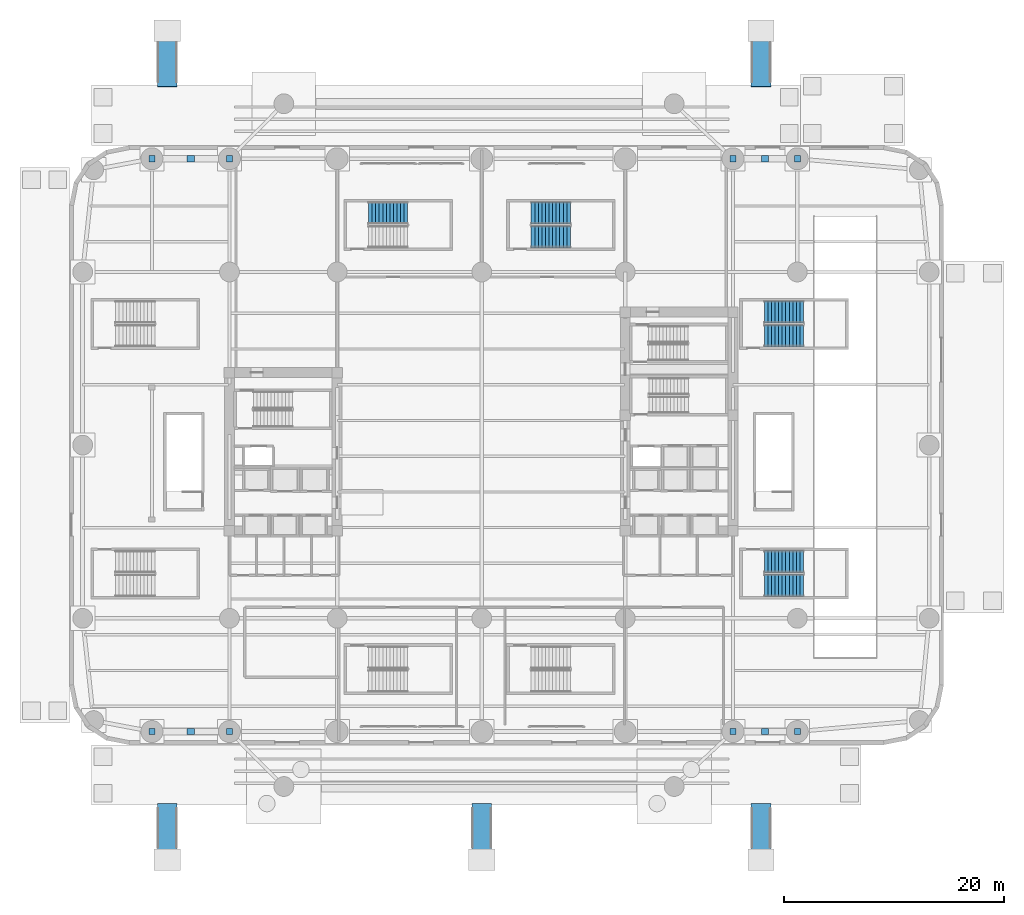
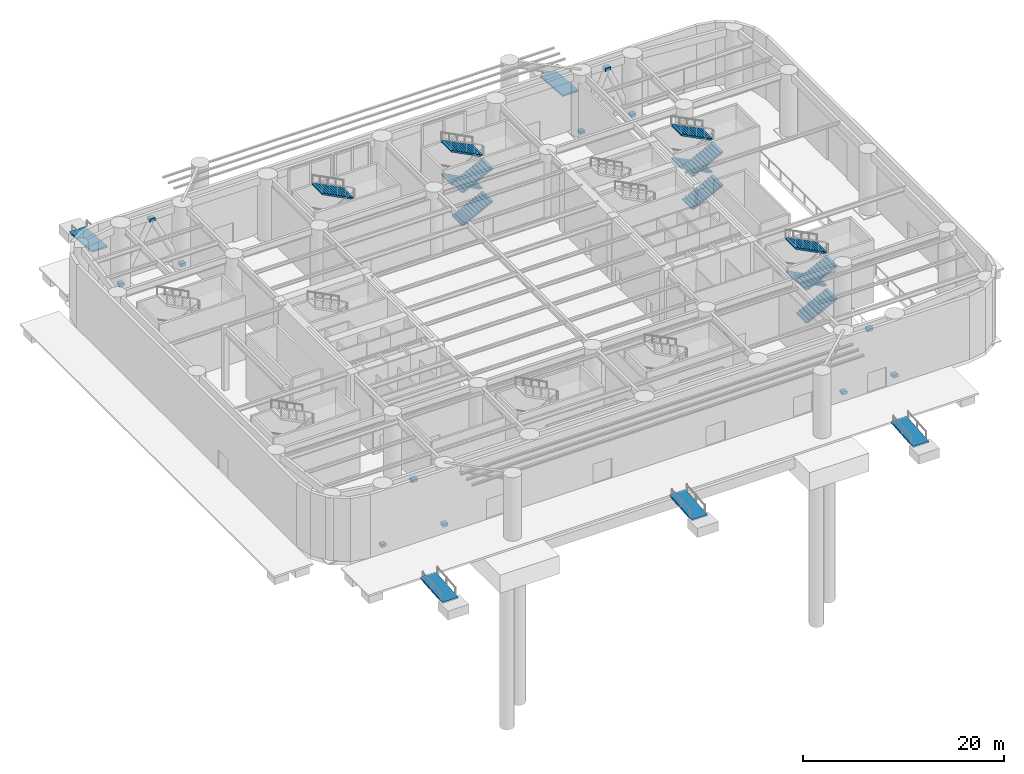
# One storey, part 15 of 25: 13 stair flights, 12 discrete accessories, 5 ramp flights, 9 elements without a shape of their own.
"""IFC4 building model written with IfcOpenShell, lengths in metres."""

from ifc_helpers import new_model, si_unit, direction, frame, origin, origin_2d, place, context, subcontext, project, spatial, polyline, rectangle, outline, extrude, material, layer, layer_set, type_object, element, aggregate, save


model = new_model("IFC4")

# Units and contexts
model_context = context("Model", 3, precision=1e-05, world=origin(), true_north=direction((0.0, 1.0)))
body_context = subcontext(model_context, "Body", "Model", "MODEL_VIEW")
ifc_project = project(units=[si_unit("LENGTHUNIT", "METRE"), si_unit("AREAUNIT", "SQUARE_METRE"), si_unit("VOLUMEUNIT", "CUBIC_METRE"), si_unit("PLANEANGLEUNIT", "RADIAN"), si_unit("MASSUNIT", "GRAM", prefix="KILO")], contexts=[model_context])

# Site, building, storey
site_placement = place(None, origin())
site = spatial("IfcSite", under=ifc_project, at=site_placement, CompositionType="ELEMENT")
building_placement = place(site_placement, origin())
building = spatial("IfcBuilding", under=site, at=building_placement, Name="Kolvaren Arena Tower", CompositionType="ELEMENT")
storey_placement = place(building_placement, origin())
storey = spatial("IfcBuildingStorey", under=building, at=storey_placement, Name="L00", CompositionType="ELEMENT", Elevation=0.0)

# Stair, stair flights
ifc_material_1 = material(Name="Concrete 45 MPa", Category="concrete")
stair_type = type_object("IfcStairType", Name="STAIR-ARENA-220", PredefinedType="HALF_TURN_STAIR", material=ifc_material_1)
stair_1_placement = place(storey_placement, origin())
stair_1 = element("IfcStair", 1, at=stair_1_placement, inside=storey, type_object=stair_type, Name="L00 ST-A4", PredefinedType="HALF_TURN_STAIR")
stair_flight_type = type_object("IfcStairFlightType", Name="FLT-220", PredefinedType="STRAIGHT", material=ifc_material_1)
stair_flight_1_placement = place(storey_placement, frame((63.199951171875, 14.5, 0.0), z_axis=(0.0, 0.0, 1.0), x_axis=(1.0, 0.0, 0.0)))
stair_flight_1 = element("IfcStairFlight", 2, at=stair_flight_1_placement, type_object=stair_flight_type, Name="ST-A4 flight 1", NumberOfRisers=12, NumberOfTreads=11, PredefinedType="STRAIGHT", RiserHeight=0.166666667, TreadLength=0.324, context=body_context, shape_type="SweptSolid", body=[
    extrude(outline(polyline([(0.0, 0.0), (0.0, 0.166748046875), (0.323974609375, 0.166748046875), (0.323974609375, 0.333251953125), (0.64794921875, 0.333251953125), (0.64794921875, 0.5), (0.971923828125, 0.5), (0.971923828125, 0.666748046875), (1.2958984375, 0.666748046875), (1.2958984375, 0.833251953125), (1.6201171875, 0.833251953125), (1.6201171875, 1.0), (1.944091796875, 1.0), (1.944091796875, 1.166748046875), (2.26806640625, 1.166748046875), (2.26806640625, 1.333251953125), (2.592041015625, 1.333251953125), (2.592041015625, 1.5), (2.916015625, 1.5), (2.916015625, 1.666748046875), (3.239990234375, 1.666748046875), (3.239990234375, 1.833251953125), (3.56396484375, 1.833251953125), (3.56396484375, 2.0), (3.56396484375, 1.664794921875), (0.32763671875, 0.0), (0.0, 0.0)])), frame((0.0, 1.0, 0.0), z_axis=(0.0, -1.0, 0.0), x_axis=(1.0, 0.0, 0.0)), (0.0, 0.0, 1.0), 2.0),
])
stair_flight_2_placement = place(storey_placement, frame((66.763916015625, 16.64990234375, 2.0), z_axis=(0.0, 0.0, 1.0), x_axis=(-1.0, 0.0, 0.0)))
stair_flight_2 = element("IfcStairFlight", 3, at=stair_flight_2_placement, type_object=stair_flight_type, Name="ST-A4 flight 2", NumberOfRisers=12, NumberOfTreads=11, PredefinedType="STRAIGHT", RiserHeight=0.166666667, TreadLength=0.324, context=body_context, shape_type="SweptSolid", body=[
    extrude(outline(polyline([(0.0, 0.0), (0.0, 0.166748046875), (0.323974609375, 0.166748046875), (0.323974609375, 0.333251953125), (0.64794921875, 0.333251953125), (0.64794921875, 0.5), (0.971923828125, 0.5), (0.971923828125, 0.666748046875), (1.2958984375, 0.666748046875), (1.2958984375, 0.833251953125), (1.6201171875, 0.833251953125), (1.6201171875, 1.0), (1.944091796875, 1.0), (1.944091796875, 1.166748046875), (2.26806640625, 1.166748046875), (2.26806640625, 1.333251953125), (2.592041015625, 1.333251953125), (2.592041015625, 1.5), (2.916015625, 1.5), (2.916015625, 1.666748046875), (3.239990234375, 1.666748046875), (3.239990234375, 1.833251953125), (3.56396484375, 1.833251953125), (3.56396484375, 2.0), (3.56396484375, 1.664794921875), (0.32763671875, 0.0), (0.0, 0.0)])), frame((0.0, 1.0, 0.0), z_axis=(0.0, -1.0, 0.0), x_axis=(1.0, 0.0, 0.0)), (0.0, 0.0, 1.0), 2.0),
])
stair_flight_3_placement = place(storey_placement, frame((63.199951171875, 14.5, 4.0), z_axis=(0.0, 0.0, 1.0), x_axis=(1.0, 0.0, 0.0)))
stair_flight_3 = element("IfcStairFlight", 4, at=stair_flight_3_placement, type_object=stair_flight_type, Name="ST-A4 flight 3", NumberOfRisers=12, NumberOfTreads=11, PredefinedType="STRAIGHT", RiserHeight=0.166666667, TreadLength=0.324, context=body_context, shape_type="SweptSolid", body=[
    extrude(outline(polyline([(0.0, 0.0), (0.0, 0.166748046875), (0.323974609375, 0.166748046875), (0.323974609375, 0.333251953125), (0.64794921875, 0.333251953125), (0.64794921875, 0.5), (0.971923828125, 0.5), (0.971923828125, 0.666748046875), (1.2958984375, 0.666748046875), (1.2958984375, 0.833251953125), (1.6201171875, 0.833251953125), (1.6201171875, 1.0), (1.944091796875, 1.0), (1.944091796875, 1.166748046875), (2.26806640625, 1.166748046875), (2.26806640625, 1.333251953125), (2.592041015625, 1.333251953125), (2.592041015625, 1.5), (2.916015625, 1.5), (2.916015625, 1.666748046875), (3.239990234375, 1.666748046875), (3.239990234375, 1.833251953125), (3.56396484375, 1.833251953125), (3.56396484375, 2.0), (3.56396484375, 1.664794921875), (0.32763671875, 0.0), (0.0, 0.0)])), frame((0.0, 1.0, 0.0), z_axis=(0.0, -1.0, 0.0), x_axis=(1.0, 0.0, 0.0)), (0.0, 0.0, 1.0), 2.0),
])
stair_flight_4_placement = place(storey_placement, frame((66.763916015625, 16.64990234375, 6.0), z_axis=(0.0, 0.0, 1.0), x_axis=(-1.0, 0.0, 0.0)))
stair_flight_4 = element("IfcStairFlight", 5, at=stair_flight_4_placement, type_object=stair_flight_type, Name="ST-A4 flight 4", NumberOfRisers=12, NumberOfTreads=11, PredefinedType="STRAIGHT", RiserHeight=0.166666667, TreadLength=0.324, context=body_context, shape_type="SweptSolid", body=[
    extrude(outline(polyline([(0.0, 0.0), (0.0, 0.166748046875), (0.323974609375, 0.166748046875), (0.323974609375, 0.333251953125), (0.64794921875, 0.333251953125), (0.64794921875, 0.5), (0.971923828125, 0.5), (0.971923828125, 0.666748046875), (1.2958984375, 0.666748046875), (1.2958984375, 0.833251953125), (1.6201171875, 0.833251953125), (1.6201171875, 1.0), (1.944091796875, 1.0), (1.944091796875, 1.166748046875), (2.26806640625, 1.166748046875), (2.26806640625, 1.333251953125), (2.592041015625, 1.333251953125), (2.592041015625, 1.5), (2.916015625, 1.5), (2.916015625, 1.666748046875), (3.239990234375, 1.666748046875), (3.239990234375, 1.833251953125), (3.56396484375, 1.833251953125), (3.56396484375, 2.0), (3.56396484375, 1.664794921875), (0.32763671875, 0.0), (0.0, 0.0)])), frame((0.0, 1.0, 0.0), z_axis=(0.0, -1.0, 0.0), x_axis=(1.0, 0.0, 0.0)), (0.0, 0.0, 1.0), 2.0),
])
aggregate(stair_1, [stair_flight_1, stair_flight_2, stair_flight_3, stair_flight_4])

# Stair, stair flight
stair_2_placement = place(storey_placement, origin())
stair_2 = element("IfcStair", 6, at=stair_2_placement, inside=storey, type_object=stair_type, Name="L00 ST-A6", PredefinedType="HALF_TURN_STAIR")
stair_flight_5_placement = place(storey_placement, frame((30.763916015625, 48.35009765625, 6.0), z_axis=(0.0, 0.0, 1.0), x_axis=(-1.0, 0.0, 0.0)))
stair_flight_5 = element("IfcStairFlight", 7, at=stair_flight_5_placement, type_object=stair_flight_type, Name="ST-A6 flight 4", NumberOfRisers=12, NumberOfTreads=11, PredefinedType="STRAIGHT", RiserHeight=0.166666667, TreadLength=0.324, context=body_context, shape_type="SweptSolid", body=[
    extrude(outline(polyline([(0.0, 0.0), (0.0, 0.166748046875), (0.323974609375, 0.166748046875), (0.323974609375, 0.333251953125), (0.64794921875, 0.333251953125), (0.64794921875, 0.5), (0.971923828125, 0.5), (0.971923828125, 0.666748046875), (1.2958984375, 0.666748046875), (1.2958984375, 0.833251953125), (1.6201171875, 0.833251953125), (1.6201171875, 1.0), (1.944091796875, 1.0), (1.944091796875, 1.166748046875), (2.26806640625, 1.166748046875), (2.26806640625, 1.333251953125), (2.592041015625, 1.333251953125), (2.592041015625, 1.5), (2.916015625, 1.5), (2.916015625, 1.666748046875), (3.239990234375, 1.666748046875), (3.239990234375, 1.833251953125), (3.56396484375, 1.833251953125), (3.56396484375, 2.0), (3.56396484375, 1.664794921875), (0.32763671875, 0.0), (0.0, 0.0)])), frame((0.0, 1.0, 0.0), z_axis=(0.0, -1.0, 0.0), x_axis=(1.0, 0.0, 0.0)), (0.0, 0.0, 1.0), 2.0),
])
aggregate(stair_2, [stair_flight_5])

# Stair, stair flights
stair_3_placement = place(storey_placement, origin())
stair_3 = element("IfcStair", 8, at=stair_3_placement, inside=storey, type_object=stair_type, Name="L00 ST-A7", PredefinedType="HALF_TURN_STAIR")
stair_flight_6_placement = place(storey_placement, frame((42.0, 46.199951171875, 0.0), z_axis=(0.0, 0.0, 1.0), x_axis=(1.0, 0.0, 0.0)))
stair_flight_6 = element("IfcStairFlight", 9, at=stair_flight_6_placement, type_object=stair_flight_type, Name="ST-A7 flight 1", NumberOfRisers=12, NumberOfTreads=11, PredefinedType="STRAIGHT", RiserHeight=0.166666667, TreadLength=0.324, context=body_context, shape_type="SweptSolid", body=[
    extrude(outline(polyline([(0.0, 0.0), (0.0, 0.166748046875), (0.323974609375, 0.166748046875), (0.323974609375, 0.333251953125), (0.64794921875, 0.333251953125), (0.64794921875, 0.5), (0.971923828125, 0.5), (0.971923828125, 0.666748046875), (1.2958984375, 0.666748046875), (1.2958984375, 0.833251953125), (1.6201171875, 0.833251953125), (1.6201171875, 1.0), (1.944091796875, 1.0), (1.944091796875, 1.166748046875), (2.26806640625, 1.166748046875), (2.26806640625, 1.333251953125), (2.592041015625, 1.333251953125), (2.592041015625, 1.5), (2.916015625, 1.5), (2.916015625, 1.666748046875), (3.239990234375, 1.666748046875), (3.239990234375, 1.833251953125), (3.56396484375, 1.833251953125), (3.56396484375, 2.0), (3.56396484375, 1.664794921875), (0.32763671875, 0.0), (0.0, 0.0)])), frame((0.0, 1.0, 0.0), z_axis=(0.0, -1.0, 0.0), x_axis=(1.0, 0.0, 0.0)), (0.0, 0.0, 1.0), 2.0),
])
stair_flight_7_placement = place(storey_placement, frame((45.56396484375, 48.35009765625, 2.0), z_axis=(0.0, 0.0, 1.0), x_axis=(-1.0, 0.0, 0.0)))
stair_flight_7 = element("IfcStairFlight", 10, at=stair_flight_7_placement, type_object=stair_flight_type, Name="ST-A7 flight 2", NumberOfRisers=12, NumberOfTreads=11, PredefinedType="STRAIGHT", RiserHeight=0.166666667, TreadLength=0.324, context=body_context, shape_type="SweptSolid", body=[
    extrude(outline(polyline([(0.0, 0.0), (0.0, 0.166748046875), (0.323974609375, 0.166748046875), (0.323974609375, 0.333251953125), (0.64794921875, 0.333251953125), (0.64794921875, 0.5), (0.971923828125, 0.5), (0.971923828125, 0.666748046875), (1.2958984375, 0.666748046875), (1.2958984375, 0.833251953125), (1.6201171875, 0.833251953125), (1.6201171875, 1.0), (1.944091796875, 1.0), (1.944091796875, 1.166748046875), (2.26806640625, 1.166748046875), (2.26806640625, 1.333251953125), (2.592041015625, 1.333251953125), (2.592041015625, 1.5), (2.916015625, 1.5), (2.916015625, 1.666748046875), (3.239990234375, 1.666748046875), (3.239990234375, 1.833251953125), (3.56396484375, 1.833251953125), (3.56396484375, 2.0), (3.56396484375, 1.664794921875), (0.32763671875, 0.0), (0.0, 0.0)])), frame((0.0, 1.0, 0.0), z_axis=(0.0, -1.0, 0.0), x_axis=(1.0, 0.0, 0.0)), (0.0, 0.0, 1.0), 2.0),
])
stair_flight_8_placement = place(storey_placement, frame((42.0, 46.199951171875, 4.0), z_axis=(0.0, 0.0, 1.0), x_axis=(1.0, 0.0, 0.0)))
stair_flight_8 = element("IfcStairFlight", 11, at=stair_flight_8_placement, type_object=stair_flight_type, Name="ST-A7 flight 3", NumberOfRisers=12, NumberOfTreads=11, PredefinedType="STRAIGHT", RiserHeight=0.166666667, TreadLength=0.324, context=body_context, shape_type="SweptSolid", body=[
    extrude(outline(polyline([(0.0, 0.0), (0.0, 0.166748046875), (0.323974609375, 0.166748046875), (0.323974609375, 0.333251953125), (0.64794921875, 0.333251953125), (0.64794921875, 0.5), (0.971923828125, 0.5), (0.971923828125, 0.666748046875), (1.2958984375, 0.666748046875), (1.2958984375, 0.833251953125), (1.6201171875, 0.833251953125), (1.6201171875, 1.0), (1.944091796875, 1.0), (1.944091796875, 1.166748046875), (2.26806640625, 1.166748046875), (2.26806640625, 1.333251953125), (2.592041015625, 1.333251953125), (2.592041015625, 1.5), (2.916015625, 1.5), (2.916015625, 1.666748046875), (3.239990234375, 1.666748046875), (3.239990234375, 1.833251953125), (3.56396484375, 1.833251953125), (3.56396484375, 2.0), (3.56396484375, 1.664794921875), (0.32763671875, 0.0), (0.0, 0.0)])), frame((0.0, 1.0, 0.0), z_axis=(0.0, -1.0, 0.0), x_axis=(1.0, 0.0, 0.0)), (0.0, 0.0, 1.0), 2.0),
])
stair_flight_9_placement = place(storey_placement, frame((45.56396484375, 48.35009765625, 6.0), z_axis=(0.0, 0.0, 1.0), x_axis=(-1.0, 0.0, 0.0)))
stair_flight_9 = element("IfcStairFlight", 12, at=stair_flight_9_placement, type_object=stair_flight_type, Name="ST-A7 flight 4", NumberOfRisers=12, NumberOfTreads=11, PredefinedType="STRAIGHT", RiserHeight=0.166666667, TreadLength=0.324, context=body_context, shape_type="SweptSolid", body=[
    extrude(outline(polyline([(0.0, 0.0), (0.0, 0.166748046875), (0.323974609375, 0.166748046875), (0.323974609375, 0.333251953125), (0.64794921875, 0.333251953125), (0.64794921875, 0.5), (0.971923828125, 0.5), (0.971923828125, 0.666748046875), (1.2958984375, 0.666748046875), (1.2958984375, 0.833251953125), (1.6201171875, 0.833251953125), (1.6201171875, 1.0), (1.944091796875, 1.0), (1.944091796875, 1.166748046875), (2.26806640625, 1.166748046875), (2.26806640625, 1.333251953125), (2.592041015625, 1.333251953125), (2.592041015625, 1.5), (2.916015625, 1.5), (2.916015625, 1.666748046875), (3.239990234375, 1.666748046875), (3.239990234375, 1.833251953125), (3.56396484375, 1.833251953125), (3.56396484375, 2.0), (3.56396484375, 1.664794921875), (0.32763671875, 0.0), (0.0, 0.0)])), frame((0.0, 1.0, 0.0), z_axis=(0.0, -1.0, 0.0), x_axis=(1.0, 0.0, 0.0)), (0.0, 0.0, 1.0), 2.0),
])
aggregate(stair_3, [stair_flight_6, stair_flight_7, stair_flight_8, stair_flight_9])

stair_4_placement = place(storey_placement, origin())
stair_4 = element("IfcStair", 13, at=stair_4_placement, inside=storey, type_object=stair_type, Name="L00 ST-A8", PredefinedType="HALF_TURN_STAIR")
stair_flight_10_placement = place(storey_placement, frame((63.199951171875, 37.199951171875, 0.0), z_axis=(0.0, 0.0, 1.0), x_axis=(1.0, 0.0, 0.0)))
stair_flight_10 = element("IfcStairFlight", 14, at=stair_flight_10_placement, type_object=stair_flight_type, Name="ST-A8 flight 1", NumberOfRisers=12, NumberOfTreads=11, PredefinedType="STRAIGHT", RiserHeight=0.166666667, TreadLength=0.324, context=body_context, shape_type="SweptSolid", body=[
    extrude(outline(polyline([(0.0, 0.0), (0.0, 0.166748046875), (0.323974609375, 0.166748046875), (0.323974609375, 0.333251953125), (0.64794921875, 0.333251953125), (0.64794921875, 0.5), (0.971923828125, 0.5), (0.971923828125, 0.666748046875), (1.2958984375, 0.666748046875), (1.2958984375, 0.833251953125), (1.6201171875, 0.833251953125), (1.6201171875, 1.0), (1.944091796875, 1.0), (1.944091796875, 1.166748046875), (2.26806640625, 1.166748046875), (2.26806640625, 1.333251953125), (2.592041015625, 1.333251953125), (2.592041015625, 1.5), (2.916015625, 1.5), (2.916015625, 1.666748046875), (3.239990234375, 1.666748046875), (3.239990234375, 1.833251953125), (3.56396484375, 1.833251953125), (3.56396484375, 2.0), (3.56396484375, 1.664794921875), (0.32763671875, 0.0), (0.0, 0.0)])), frame((0.0, 1.0, 0.0), z_axis=(0.0, -1.0, 0.0), x_axis=(1.0, 0.0, 0.0)), (0.0, 0.0, 1.0), 2.0),
])
stair_flight_11_placement = place(storey_placement, frame((66.763916015625, 39.35009765625, 2.0), z_axis=(0.0, 0.0, 1.0), x_axis=(-1.0, 0.0, 0.0)))
stair_flight_11 = element("IfcStairFlight", 15, at=stair_flight_11_placement, type_object=stair_flight_type, Name="ST-A8 flight 2", NumberOfRisers=12, NumberOfTreads=11, PredefinedType="STRAIGHT", RiserHeight=0.166666667, TreadLength=0.324, context=body_context, shape_type="SweptSolid", body=[
    extrude(outline(polyline([(0.0, 0.0), (0.0, 0.166748046875), (0.323974609375, 0.166748046875), (0.323974609375, 0.333251953125), (0.64794921875, 0.333251953125), (0.64794921875, 0.5), (0.971923828125, 0.5), (0.971923828125, 0.666748046875), (1.2958984375, 0.666748046875), (1.2958984375, 0.833251953125), (1.6201171875, 0.833251953125), (1.6201171875, 1.0), (1.944091796875, 1.0), (1.944091796875, 1.166748046875), (2.26806640625, 1.166748046875), (2.26806640625, 1.333251953125), (2.592041015625, 1.333251953125), (2.592041015625, 1.5), (2.916015625, 1.5), (2.916015625, 1.666748046875), (3.239990234375, 1.666748046875), (3.239990234375, 1.833251953125), (3.56396484375, 1.833251953125), (3.56396484375, 2.0), (3.56396484375, 1.664794921875), (0.32763671875, 0.0), (0.0, 0.0)])), frame((0.0, 1.0, 0.0), z_axis=(0.0, -1.0, 0.0), x_axis=(1.0, 0.0, 0.0)), (0.0, 0.0, 1.0), 2.0),
])
stair_flight_12_placement = place(storey_placement, frame((63.199951171875, 37.199951171875, 4.0), z_axis=(0.0, 0.0, 1.0), x_axis=(1.0, 0.0, 0.0)))
stair_flight_12 = element("IfcStairFlight", 16, at=stair_flight_12_placement, type_object=stair_flight_type, Name="ST-A8 flight 3", NumberOfRisers=12, NumberOfTreads=11, PredefinedType="STRAIGHT", RiserHeight=0.166666667, TreadLength=0.324, context=body_context, shape_type="SweptSolid", body=[
    extrude(outline(polyline([(0.0, 0.0), (0.0, 0.166748046875), (0.323974609375, 0.166748046875), (0.323974609375, 0.333251953125), (0.64794921875, 0.333251953125), (0.64794921875, 0.5), (0.971923828125, 0.5), (0.971923828125, 0.666748046875), (1.2958984375, 0.666748046875), (1.2958984375, 0.833251953125), (1.6201171875, 0.833251953125), (1.6201171875, 1.0), (1.944091796875, 1.0), (1.944091796875, 1.166748046875), (2.26806640625, 1.166748046875), (2.26806640625, 1.333251953125), (2.592041015625, 1.333251953125), (2.592041015625, 1.5), (2.916015625, 1.5), (2.916015625, 1.666748046875), (3.239990234375, 1.666748046875), (3.239990234375, 1.833251953125), (3.56396484375, 1.833251953125), (3.56396484375, 2.0), (3.56396484375, 1.664794921875), (0.32763671875, 0.0), (0.0, 0.0)])), frame((0.0, 1.0, 0.0), z_axis=(0.0, -1.0, 0.0), x_axis=(1.0, 0.0, 0.0)), (0.0, 0.0, 1.0), 2.0),
])
stair_flight_13_placement = place(storey_placement, frame((66.763916015625, 39.35009765625, 6.0), z_axis=(0.0, 0.0, 1.0), x_axis=(-1.0, 0.0, 0.0)))
stair_flight_13 = element("IfcStairFlight", 17, at=stair_flight_13_placement, type_object=stair_flight_type, Name="ST-A8 flight 4", NumberOfRisers=12, NumberOfTreads=11, PredefinedType="STRAIGHT", RiserHeight=0.166666667, TreadLength=0.324, context=body_context, shape_type="SweptSolid", body=[
    extrude(outline(polyline([(0.0, 0.0), (0.0, 0.166748046875), (0.323974609375, 0.166748046875), (0.323974609375, 0.333251953125), (0.64794921875, 0.333251953125), (0.64794921875, 0.5), (0.971923828125, 0.5), (0.971923828125, 0.666748046875), (1.2958984375, 0.666748046875), (1.2958984375, 0.833251953125), (1.6201171875, 0.833251953125), (1.6201171875, 1.0), (1.944091796875, 1.0), (1.944091796875, 1.166748046875), (2.26806640625, 1.166748046875), (2.26806640625, 1.333251953125), (2.592041015625, 1.333251953125), (2.592041015625, 1.5), (2.916015625, 1.5), (2.916015625, 1.666748046875), (3.239990234375, 1.666748046875), (3.239990234375, 1.833251953125), (3.56396484375, 1.833251953125), (3.56396484375, 2.0), (3.56396484375, 1.664794921875), (0.32763671875, 0.0), (0.0, 0.0)])), frame((0.0, 1.0, 0.0), z_axis=(0.0, -1.0, 0.0), x_axis=(1.0, 0.0, 0.0)), (0.0, 0.0, 1.0), 2.0),
])
aggregate(stair_4, [stair_flight_10, stair_flight_11, stair_flight_12, stair_flight_13])

# Ramp, ramp flight
ramp_type = type_object("IfcRampType", Name="RAMP-BF-1", PredefinedType="STRAIGHT_RUN_RAMP", material=ifc_material_1)
ramp_1_placement = place(storey_placement, origin())
ramp_1 = element("IfcRamp", 18, at=ramp_1_placement, inside=storey, type_object=ramp_type, Name="Barrier-Free Plaza Access Ramp BR-01", PredefinedType="STRAIGHT_RUN_RAMP")
ifc_layer = layer(ifc_material_1, 0.199951171875)
ifc_layer_set = layer_set([ifc_layer], Name="Concrete 45 MPa")
ramp_flight_type = type_object("IfcRampFlightType", Name="RFLT-BF-1", PredefinedType="STRAIGHT", material=ifc_layer_set)
ramp_flight_1_placement = place(storey_placement, frame((8.0, -9.820068359375, -0.360107421875), z_axis=(0.0, -0.080301310132, 0.996770635398), x_axis=(1.0, 0.0, 0.0)))
ramp_flight_1 = element("IfcRampFlight", 19, at=ramp_flight_1_placement, type_object=ramp_flight_type, Name="Barrier-Free Ramp Flight BRF-01", PredefinedType="STRAIGHT", context=body_context, shape_type="SweptSolid", body=[
    extrude(outline(polyline([(0.0, 0.0), (1.800048828125, 0.0), (1.800048828125, 4.484452635727717), (0.0, 4.484452635727717), (0.0, 0.0)])), origin(), (0.0, 0.0, -1.0), 0.199951171875),
])
aggregate(ramp_1, [ramp_flight_1])

ramp_2_placement = place(storey_placement, origin())
ramp_2 = element("IfcRamp", 20, at=ramp_2_placement, inside=storey, type_object=ramp_type, Name="Barrier-Free Plaza Access Ramp BR-02", PredefinedType="STRAIGHT_RUN_RAMP")
ramp_flight_2_placement = place(storey_placement, frame((36.60009765625, -9.820068359375, -0.360107421875), z_axis=(0.0, -0.080301310132, 0.996770635398), x_axis=(1.0, 0.0, 0.0)))
ramp_flight_2 = element("IfcRampFlight", 21, at=ramp_flight_2_placement, type_object=ramp_flight_type, Name="Barrier-Free Ramp Flight BRF-02", PredefinedType="STRAIGHT", context=body_context, shape_type="SweptSolid", body=[
    extrude(outline(polyline([(0.0, 0.0), (1.7998046875, 0.0), (1.7998046875, 4.484452635727717), (0.0, 4.484452635727717), (0.0, 0.0)])), origin(), (0.0, 0.0, -1.0), 0.199951171875),
])
aggregate(ramp_2, [ramp_flight_2])

ramp_3_placement = place(storey_placement, origin())
ramp_3 = element("IfcRamp", 22, at=ramp_3_placement, inside=storey, type_object=ramp_type, Name="Barrier-Free Plaza Access Ramp BR-03", PredefinedType="STRAIGHT_RUN_RAMP")
ramp_flight_3_placement = place(storey_placement, frame((62.0, -9.820068359375, -0.360107421875), z_axis=(0.0, -0.080301310132, 0.996770635398), x_axis=(1.0, 0.0, 0.0)))
ramp_flight_3 = element("IfcRampFlight", 23, at=ramp_flight_3_placement, type_object=ramp_flight_type, Name="Barrier-Free Ramp Flight BRF-03", PredefinedType="STRAIGHT", context=body_context, shape_type="SweptSolid", body=[
    extrude(outline(polyline([(0.0, 0.0), (1.800048828125, 0.0), (1.800048828125, 4.484452635727717), (0.0, 4.484452635727717), (0.0, 0.0)])), origin(), (0.0, 0.0, -1.0), 0.199951171875),
])
aggregate(ramp_3, [ramp_flight_3])

ramp_4_placement = place(storey_placement, origin())
ramp_4 = element("IfcRamp", 24, at=ramp_4_placement, inside=storey, type_object=ramp_type, Name="Barrier-Free Plaza Access Ramp BR-04", PredefinedType="STRAIGHT_RUN_RAMP")
ramp_flight_4_placement = place(storey_placement, frame((9.800048828125, 64.320068359375, -0.360107421875), z_axis=(0.0, 0.080301310132, 0.996770635398), x_axis=(-1.0, 0.0, 0.0)))
ramp_flight_4 = element("IfcRampFlight", 25, at=ramp_flight_4_placement, type_object=ramp_flight_type, Name="Barrier-Free Ramp Flight BRF-04", PredefinedType="STRAIGHT", context=body_context, shape_type="SweptSolid", body=[
    extrude(outline(polyline([(0.0, 0.0), (1.800048828125, 0.0), (1.800048828125, 4.484452635727717), (0.0, 4.484452635727717), (0.0, 0.0)])), origin(), (0.0, 0.0, -1.0), 0.199951171875),
])
aggregate(ramp_4, [ramp_flight_4])

ramp_5_placement = place(storey_placement, origin())
ramp_5 = element("IfcRamp", 26, at=ramp_5_placement, inside=storey, type_object=ramp_type, Name="Barrier-Free Plaza Access Ramp BR-05", PredefinedType="STRAIGHT_RUN_RAMP")
ramp_flight_5_placement = place(storey_placement, frame((63.800048828125, 64.320068359375, -0.360107421875), z_axis=(0.0, 0.080301310132, 0.996770635398), x_axis=(-1.0, 0.0, 0.0)))
ramp_flight_5 = element("IfcRampFlight", 27, at=ramp_flight_5_placement, type_object=ramp_flight_type, Name="Barrier-Free Ramp Flight BRF-05", PredefinedType="STRAIGHT", context=body_context, shape_type="SweptSolid", body=[
    extrude(outline(polyline([(0.0, 0.0), (1.800048828125, 0.0), (1.800048828125, 4.484452635727717), (0.0, 4.484452635727717), (0.0, 0.0)])), origin(), (0.0, 0.0, -1.0), 0.199951171875),
])
aggregate(ramp_5, [ramp_flight_5])

# Discrete accessories
ifc_material_2 = material(Name="Steel CSA G40.21 350W bolted gusset connection", Category="steel")
discrete_accessory_type = type_object("IfcDiscreteAccessoryType", Name="ACC-CONN-1", PredefinedType="BRACKET", material=ifc_material_2)
discrete_accessory_1_placement = place(storey_placement, frame((7.5, 1.199951171875, 0.0), z_axis=(0.0, 0.0, 1.0), x_axis=(1.0, 0.0, 0.0)))
element("IfcDiscreteAccessory", 28, at=discrete_accessory_1_placement, inside=storey, type_object=discrete_accessory_type, Name="Stilt Strut Base Connection Gusset 1", PredefinedType="BRACKET", context=body_context, shape_type="SweptSolid", body=[
    extrude(rectangle(XDim=0.550048828125, YDim=0.550048828125, at=origin_2d()), origin(), (0.0, 0.0, 1.0), 0.360107421875),
])
discrete_accessory_2_placement = place(storey_placement, frame((11.02490234375, 1.199951171875, 6.635009765625), z_axis=(0.0, 0.0, 1.0), x_axis=(1.0, 0.0, 0.0)))
element("IfcDiscreteAccessory", 29, at=discrete_accessory_2_placement, inside=storey, type_object=discrete_accessory_type, Name="Stilt Strut Crown Connection Gusset 1", PredefinedType="BRACKET", context=body_context, shape_type="SweptSolid", body=[
    extrude(rectangle(XDim=0.64990234375, YDim=0.550048828125, at=origin_2d()), origin(), (0.0, 0.0, 1.0), 0.3798828125),
])
for number, where, z_axis, x_axis, name in (
    (30, (14.550048828125, 1.199951171875, 0.0), (0.0, 0.0, 1.0), (1.0, 0.0, 0.0), "Stilt Strut Base Connection Gusset 2"),
    (31, (60.35009765625, 1.199951171875, 0.0), (0.0, 0.0, 1.0), (1.0, 0.0, 0.0), "Stilt Strut Base Connection Gusset 3"),
):
    element("IfcDiscreteAccessory", number, at=place(storey_placement, frame(where, z_axis=z_axis, x_axis=x_axis)), inside=storey, type_object=discrete_accessory_type, Name=name, PredefinedType="BRACKET", context=body_context, shape_type="SweptSolid", body=[
        extrude(rectangle(XDim=0.550048828125, YDim=0.550048828125, at=origin_2d()), origin(), (0.0, 0.0, 1.0), 0.360107421875),
    ])
discrete_accessory_3_placement = place(storey_placement, frame((63.27490234375, 1.199951171875, 6.635009765625), z_axis=(0.0, 0.0, 1.0), x_axis=(1.0, 0.0, 0.0)))
element("IfcDiscreteAccessory", 32, at=discrete_accessory_3_placement, inside=storey, type_object=discrete_accessory_type, Name="Stilt Strut Crown Connection Gusset 3", PredefinedType="BRACKET", context=body_context, shape_type="SweptSolid", body=[
    extrude(rectangle(XDim=0.64990234375, YDim=0.550048828125, at=origin_2d()), origin(), (0.0, 0.0, 1.0), 0.3798828125),
])
for number, where, z_axis, x_axis, name in (
    (33, (66.199951171875, 1.199951171875, 0.0), (0.0, 0.0, 1.0), (1.0, 0.0, 0.0), "Stilt Strut Base Connection Gusset 4"),
    (34, (7.5, 53.300048828125, 0.0), (0.0, 0.0, 1.0), (1.0, 0.0, 0.0), "Stilt Strut Base Connection Gusset 5"),
):
    element("IfcDiscreteAccessory", number, at=place(storey_placement, frame(where, z_axis=z_axis, x_axis=x_axis)), inside=storey, type_object=discrete_accessory_type, Name=name, PredefinedType="BRACKET", context=body_context, shape_type="SweptSolid", body=[
        extrude(rectangle(XDim=0.550048828125, YDim=0.550048828125, at=origin_2d()), origin(), (0.0, 0.0, 1.0), 0.360107421875),
    ])
discrete_accessory_4_placement = place(storey_placement, frame((11.02490234375, 53.300048828125, 6.635009765625), z_axis=(0.0, 0.0, 1.0), x_axis=(1.0, 0.0, 0.0)))
element("IfcDiscreteAccessory", 35, at=discrete_accessory_4_placement, inside=storey, type_object=discrete_accessory_type, Name="Stilt Strut Crown Connection Gusset 5", PredefinedType="BRACKET", context=body_context, shape_type="SweptSolid", body=[
    extrude(rectangle(XDim=0.64990234375, YDim=0.550048828125, at=origin_2d()), origin(), (0.0, 0.0, 1.0), 0.3798828125),
])
for number, where, z_axis, x_axis, name in (
    (36, (14.550048828125, 53.300048828125, 0.0), (0.0, 0.0, 1.0), (1.0, 0.0, 0.0), "Stilt Strut Base Connection Gusset 6"),
    (37, (60.35009765625, 53.300048828125, 0.0), (0.0, 0.0, 1.0), (1.0, 0.0, 0.0), "Stilt Strut Base Connection Gusset 7"),
):
    element("IfcDiscreteAccessory", number, at=place(storey_placement, frame(where, z_axis=z_axis, x_axis=x_axis)), inside=storey, type_object=discrete_accessory_type, Name=name, PredefinedType="BRACKET", context=body_context, shape_type="SweptSolid", body=[
        extrude(rectangle(XDim=0.550048828125, YDim=0.550048828125, at=origin_2d()), origin(), (0.0, 0.0, 1.0), 0.360107421875),
    ])
discrete_accessory_5_placement = place(storey_placement, frame((63.27490234375, 53.300048828125, 6.635009765625), z_axis=(0.0, 0.0, 1.0), x_axis=(1.0, 0.0, 0.0)))
element("IfcDiscreteAccessory", 38, at=discrete_accessory_5_placement, inside=storey, type_object=discrete_accessory_type, Name="Stilt Strut Crown Connection Gusset 7", PredefinedType="BRACKET", context=body_context, shape_type="SweptSolid", body=[
    extrude(rectangle(XDim=0.64990234375, YDim=0.550048828125, at=origin_2d()), origin(), (0.0, 0.0, 1.0), 0.3798828125),
])
discrete_accessory_6_placement = place(storey_placement, frame((66.199951171875, 53.300048828125, 0.0), z_axis=(0.0, 0.0, 1.0), x_axis=(1.0, 0.0, 0.0)))
element("IfcDiscreteAccessory", 39, at=discrete_accessory_6_placement, inside=storey, type_object=discrete_accessory_type, Name="Stilt Strut Base Connection Gusset 8", PredefinedType="BRACKET", context=body_context, shape_type="SweptSolid", body=[
    extrude(rectangle(XDim=0.550048828125, YDim=0.550048828125, at=origin_2d()), origin(), (0.0, 0.0, 1.0), 0.360107421875),
])

save(model, "model.ifc")
